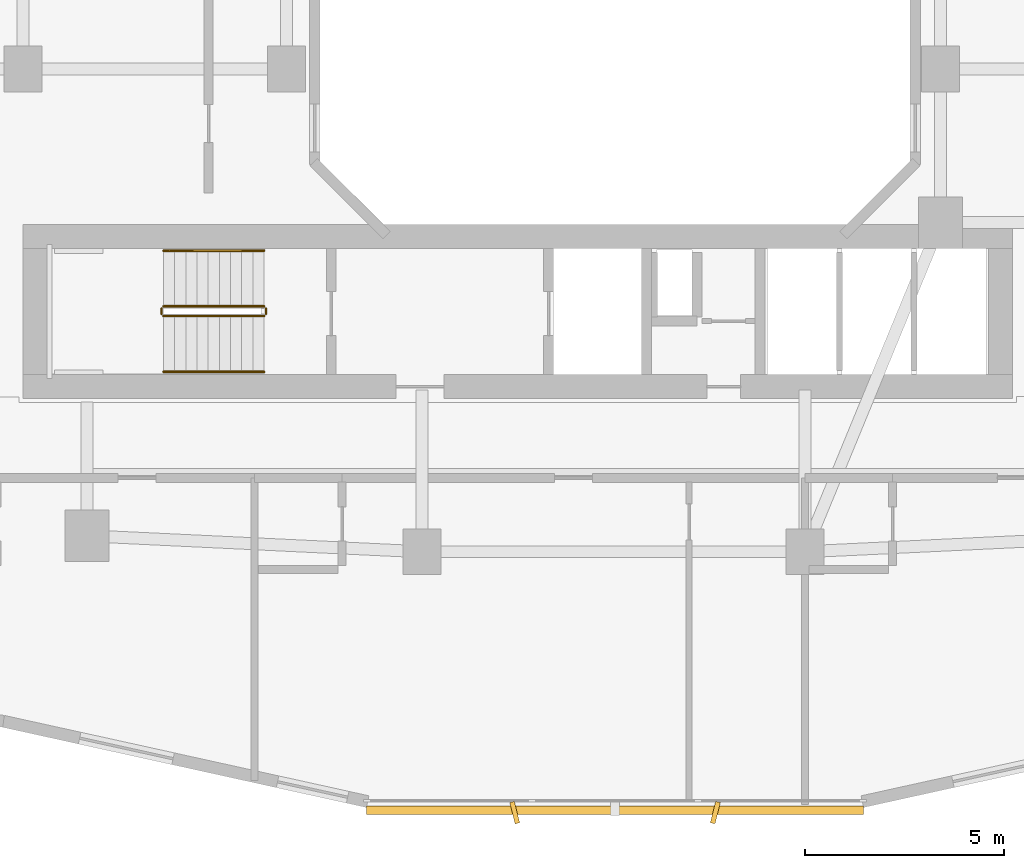
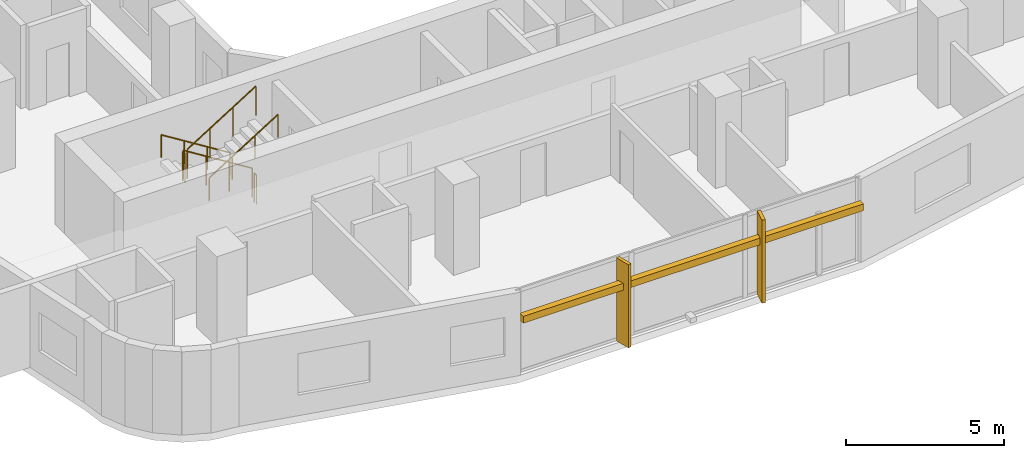
# One storey, part 23 of 27: 6 railings, 3 shading devices.
"""IFC4 building model written with IfcOpenShell, lengths in metres."""

from ifc_helpers import new_model, si_unit, derived_unit, direction, frame, origin, origin_2d, place, context, subcontext, project, spatial, rectangle, circle, extrude, material, type_object, element, save


model = new_model("IFC4")

# Units and contexts
model_context = context("Model", 3, precision=1e-05, world=origin(), true_north=direction((0.0, 1.0)))
body_context = subcontext(model_context, "Body", "Model", "MODEL_VIEW")
ifc_project = project(units=[si_unit("LENGTHUNIT", "METRE"), si_unit("AREAUNIT", "SQUARE_METRE"), si_unit("VOLUMEUNIT", "CUBIC_METRE"), si_unit("PLANEANGLEUNIT", "RADIAN"), si_unit("MASSUNIT", "GRAM", prefix="KILO"), derived_unit("THERMALTRANSMITTANCEUNIT", [(si_unit("POWERUNIT", "WATT"), 1), (si_unit("LENGTHUNIT", "METRE"), -2), (si_unit("THERMODYNAMICTEMPERATUREUNIT", "KELVIN"), -1)])], contexts=[model_context])

# Site, building, storey
site_placement = place(None, origin())
site = spatial("IfcSite", under=ifc_project, at=site_placement, CompositionType="ELEMENT")
building_placement = place(site_placement, origin())
building = spatial("IfcBuilding", under=site, at=building_placement, Name="Kivonza Crest Hotel", CompositionType="ELEMENT")
storey_placement = place(building_placement, frame((0.0, 0.0, 38.0)))
storey = spatial("IfcBuildingStorey", under=building, at=storey_placement, Name="L09", CompositionType="ELEMENT", Elevation=38.0)

# Railings
ifc_material_1 = material(Name="Brushed stainless steel handrail", Category="steel")
railing_type_1 = type_object("IfcRailingType", Name="RL-HAND-900", PredefinedType="HANDRAIL", material=ifc_material_1)
railing_1_placement = place(storey_placement, frame((12.239990234375, 16.949951171875, 0.175048828125)))
element("IfcRailing", 1, at=railing_1_placement, inside=storey, type_object=railing_type_1, Name="L09 ST-T1-S stair handrail 1", PredefinedType="HANDRAIL", context=body_context, shape_type="SweptSolid", body=[
    extrude(circle(Radius=0.02392578125, at=origin_2d()), frame((0.0, 0.0, 0.8759765625), z_axis=(-0.848007534815, 0.0, 0.529984170421), x_axis=(0.0, -1.0, 0.0)), (0.0, 0.0, 1.0), 2.9716796875),
    extrude(circle(Radius=0.02099609375, at=origin_2d()), origin(), (0.0, 0.0, 1.0), 0.851806640625),
    extrude(circle(Radius=0.02099609375, at=origin_2d()), frame((-0.840087890625, 0.0, 0.52490234375)), (0.0, 0.0, 1.0), 0.851806640625),
    extrude(circle(Radius=0.02099609375, at=origin_2d()), frame((-1.679931640625, 0.0, 1.050048828125)), (0.0, 0.0, 1.0), 0.851806640625),
    extrude(circle(Radius=0.02099609375, at=origin_2d()), frame((-2.52001953125, 0.0, 1.574951171875)), (0.0, 0.0, 1.0), 0.851806640625),
])
railing_2_placement = place(storey_placement, frame((9.719970703125, 13.909912109375, 1.925048828125)))
element("IfcRailing", 2, at=railing_2_placement, inside=storey, type_object=railing_type_1, Name="L09 ST-T1-S stair handrail 2", PredefinedType="HANDRAIL", context=body_context, shape_type="SweptSolid", body=[
    extrude(circle(Radius=0.02392578125, at=origin_2d()), frame((0.0, 0.0, 0.8759765625), z_axis=(0.848007534815, 0.0, 0.529984170421), x_axis=(0.0, 1.0, 0.0)), (0.0, 0.0, 1.0), 2.9716796875),
    extrude(circle(Radius=0.02099609375, at=origin_2d()), origin(), (0.0, 0.0, 1.0), 0.851806640625),
    extrude(circle(Radius=0.02099609375, at=origin_2d()), frame((0.840087890625, 0.0, 0.52490234375)), (0.0, 0.0, 1.0), 0.851806640625),
    extrude(circle(Radius=0.02099609375, at=origin_2d()), frame((1.679931640625, 0.0, 1.050048828125)), (0.0, 0.0, 1.0), 0.851806640625),
    extrude(circle(Radius=0.02099609375, at=origin_2d()), frame((2.52001953125, 0.0, 1.574951171875)), (0.0, 0.0, 1.0), 0.851806640625),
])
ifc_material_2 = material(Name="Painted steel balustrade", Category="steel")
railing_type_2 = type_object("IfcRailingType", Name="RL-STAIR-1150", PredefinedType="BALUSTRADE", material=ifc_material_2)
railing_3_placement = place(storey_placement, frame((12.239990234375, 15.550048828125, 0.175048828125)))
element("IfcRailing", 3, at=railing_3_placement, inside=storey, type_object=railing_type_2, Name="L09 ST-T1-S stair guard 1", PredefinedType="BALUSTRADE", context=body_context, shape_type="SweptSolid", body=[
    extrude(circle(Radius=0.02392578125, at=origin_2d()), frame((0.0, 0.0, 1.1259765625), z_axis=(-0.848007534815, 0.0, 0.529984170421), x_axis=(0.0, -1.0, 0.0)), (0.0, 0.0, 1.0), 2.9716796875),
    extrude(circle(Radius=0.02099609375, at=origin_2d()), origin(), (0.0, 0.0, 1.0), 1.101806640625),
    extrude(circle(Radius=0.02099609375, at=origin_2d()), frame((-0.840087890625, 0.0, 0.52490234375)), (0.0, 0.0, 1.0), 1.101806640625),
    extrude(circle(Radius=0.02099609375, at=origin_2d()), frame((-1.679931640625, 0.0, 1.050048828125)), (0.0, 0.0, 1.0), 1.101806640625),
    extrude(circle(Radius=0.02099609375, at=origin_2d()), frame((-2.52001953125, 0.0, 1.574951171875)), (0.0, 0.0, 1.0), 1.101806640625),
])
railing_4_placement = place(storey_placement, frame((9.669921875, 15.5, 1.75)))
element("IfcRailing", 4, at=railing_4_placement, inside=storey, type_object=railing_type_2, Name="L09 ST-T1-S stair guard 2", PredefinedType="BALUSTRADE", context=body_context, shape_type="SweptSolid", body=[
    extrude(circle(Radius=0.02392578125, at=origin_2d()), frame((0.0, 0.0, 1.1259765625), z_axis=(0.0, -1.0, 0.0), x_axis=(1.0, 0.0, 0.0)), (0.0, 0.0, 1.0), 0.139892578125),
    extrude(circle(Radius=0.02099609375, at=origin_2d()), origin(), (0.0, 0.0, 1.0), 1.101806640625),
    extrude(circle(Radius=0.02099609375, at=origin_2d()), frame((0.0, -0.139892578125, 0.0)), (0.0, 0.0, 1.0), 1.101806640625),
])
railing_5_placement = place(storey_placement, frame((9.719970703125, 15.31005859375, 1.925048828125)))
element("IfcRailing", 5, at=railing_5_placement, inside=storey, type_object=railing_type_2, Name="L09 ST-T1-S stair guard 3", PredefinedType="BALUSTRADE", context=body_context, shape_type="SweptSolid", body=[
    extrude(circle(Radius=0.02392578125, at=origin_2d()), frame((0.0, 0.0, 1.1259765625), z_axis=(0.848007534815, 0.0, 0.529984170421), x_axis=(0.0, 1.0, 0.0)), (0.0, 0.0, 1.0), 2.9716796875),
    extrude(circle(Radius=0.02099609375, at=origin_2d()), origin(), (0.0, 0.0, 1.0), 1.101806640625),
    extrude(circle(Radius=0.02099609375, at=origin_2d()), frame((0.840087890625, 0.0, 0.52490234375)), (0.0, 0.0, 1.0), 1.101806640625),
    extrude(circle(Radius=0.02099609375, at=origin_2d()), frame((1.679931640625, 0.0, 1.050048828125)), (0.0, 0.0, 1.0), 1.101806640625),
    extrude(circle(Radius=0.02099609375, at=origin_2d()), frame((2.52001953125, 0.0, 1.574951171875)), (0.0, 0.0, 1.0), 1.101806640625),
])
railing_6_placement = place(storey_placement, frame((12.2900390625, 15.5, 0.0)))
element("IfcRailing", 6, at=railing_6_placement, inside=storey, type_object=railing_type_2, Name="L09 ST-T1-S stair guard 4", PredefinedType="BALUSTRADE", context=body_context, shape_type="SweptSolid", body=[
    extrude(circle(Radius=0.02392578125, at=origin_2d()), frame((0.0, 0.0, 1.1259765625), z_axis=(0.0, -1.0, 0.0), x_axis=(1.0, 0.0, 0.0)), (0.0, 0.0, 1.0), 0.139892578125),
    extrude(circle(Radius=0.02099609375, at=origin_2d()), origin(), (0.0, 0.0, 1.0), 1.101806640625),
    extrude(circle(Radius=0.02099609375, at=origin_2d()), frame((0.0, -0.139892578125, 0.0)), (0.0, 0.0, 1.0), 1.101806640625),
])

# Shading devices
ifc_material_3 = material(Name="Kiln-fired Nairobi red-ochre terracotta", Category="masonry")
shading_device_type_1 = type_object("IfcShadingDeviceType", Name="SH-BAGUETTE-300", PredefinedType="USERDEFINED", material=ifc_material_3)
shading_device_placement = place(storey_placement, frame((21.0400390625, 2.919921875, 2.1240234375), z_axis=(0.0, 0.0, 1.0), x_axis=(1.0, 0.0, 0.0)))
element("IfcShadingDevice", 7, at=shading_device_placement, inside=storey, type_object=shading_device_type_1, Name="L09 terracotta baguette screen CW-T1-L09-08", ObjectType="BAGUETTE", PredefinedType="USERDEFINED", context=body_context, shape_type="SweptSolid", body=[
    extrude(rectangle(XDim=12.4560546875, YDim=0.219970703125, at=origin_2d()), origin(), (0.0, 0.0, 1.0), 0.260009765625),
])
ifc_material_4 = material(Name="Kiln-fired terracotta over extruded aluminium spine", Category="masonry")
shading_device_type_2 = type_object("IfcShadingDeviceType", Name="SH-FIN-550", PredefinedType="USERDEFINED", material=ifc_material_4)
for number, where, z_axis, x_axis, name in (
    (8, (18.52490234375, 2.860107421875, 0.0), (0.0, 0.0, 1.0), (0.970295726276, 0.2419218956, 0.0), "L09 vertical solar shading fin CW-T1-L09-08-1"),
    (9, (23.554931640625, 2.860107421875, 0.0), (0.0, 0.0, 1.0), (0.970295726276, -0.2419218956, 0.0), "L09 vertical solar shading fin CW-T1-L09-08-2"),
):
    element("IfcShadingDevice", number, at=place(storey_placement, frame(where, z_axis=z_axis, x_axis=x_axis)), inside=storey, type_object=shading_device_type_2, Name=name, ObjectType="FIN", PredefinedType="USERDEFINED", context=body_context, shape_type="SweptSolid", body=[
        extrude(rectangle(XDim=0.1201171875, YDim=0.550048828125, at=origin_2d()), origin(), (0.0, 0.0, 1.0), 3.219970703125),
    ])

save(model, "model.ifc")
